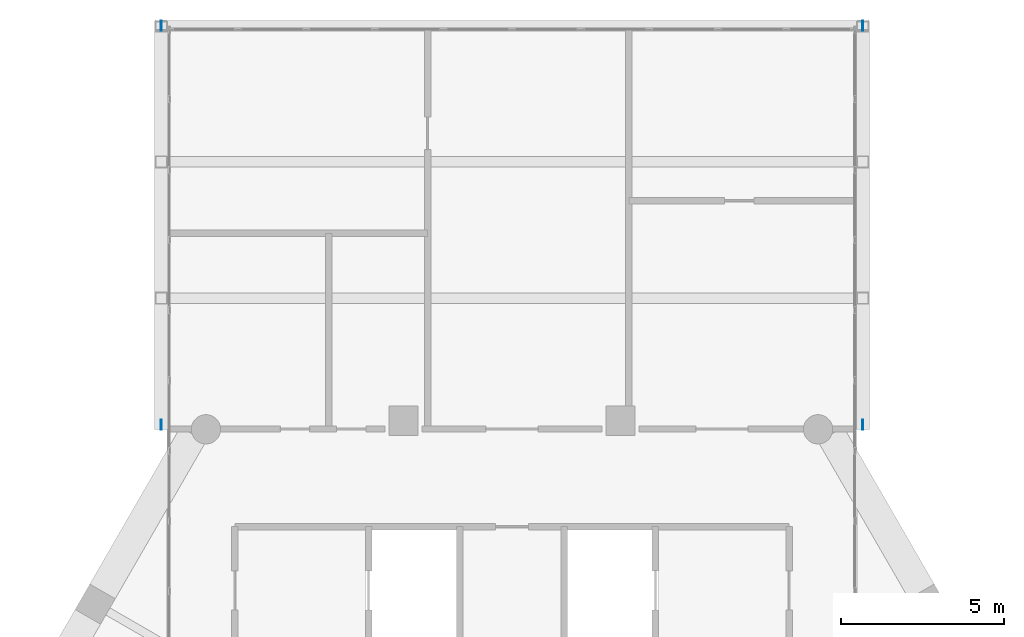
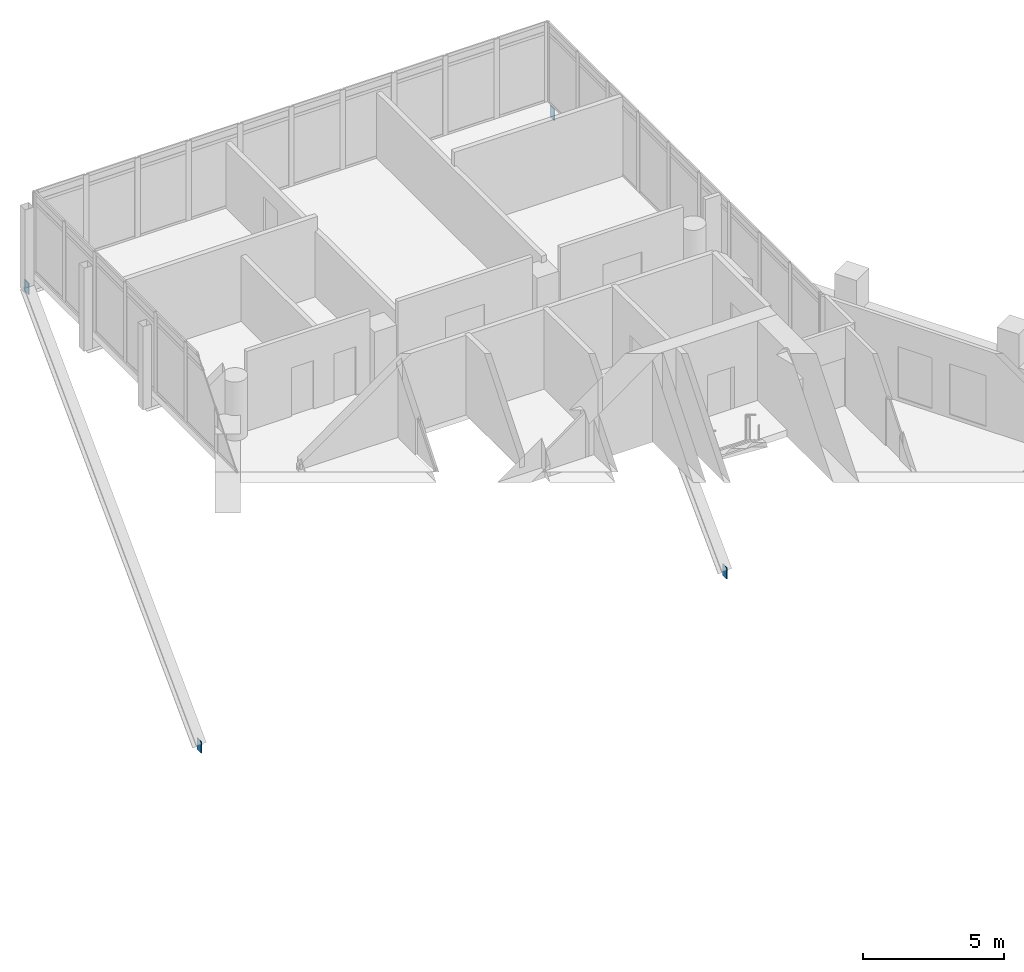
# One storey, part 33 of 34: 4 discrete accessories.
"""IFC4 building model written with IfcOpenShell, lengths in metres."""

from ifc_helpers import new_model, si_unit, direction, frame, origin, origin_2d, place, context, subcontext, project, spatial, rectangle, extrude, material, layer, layer_set, type_object, element, save


model = new_model("IFC4")

# Units and contexts
model_context = context("Model", 3, precision=1e-05, world=origin(), true_north=direction((0.0, 1.0)))
body_context = subcontext(model_context, "Body", "Model", "MODEL_VIEW")
ifc_project = project(units=[si_unit("LENGTHUNIT", "METRE"), si_unit("AREAUNIT", "SQUARE_METRE"), si_unit("VOLUMEUNIT", "CUBIC_METRE"), si_unit("PLANEANGLEUNIT", "RADIAN"), si_unit("MASSUNIT", "GRAM", prefix="KILO")], contexts=[model_context])

# Site, building, storey
site_placement = place(None, origin())
site = spatial("IfcSite", under=ifc_project, at=site_placement, CompositionType="ELEMENT")
building_placement = place(site_placement, origin())
building = spatial("IfcBuilding", under=site, at=building_placement, Name="Ostrander Bayou Hotel Tower", CompositionType="ELEMENT")
storey_placement = place(building_placement, frame((0.0, 0.0, 222.0)))
storey = spatial("IfcBuildingStorey", under=building, at=storey_placement, Name="L55", CompositionType="ELEMENT", Elevation=222.0)

# Discrete accessories
ifc_material = material(Name="Steel ASTM A572 Gr 50", Category="steel")
ifc_layer = layer(ifc_material, 0.030029296875)
ifc_layer_set = layer_set([ifc_layer], Name="GP1 gusset plate 30 mm")
discrete_accessory_type = type_object("IfcDiscreteAccessoryType", Name="GP1 gusset plate 30 mm", PredefinedType="BRACKET", material=ifc_layer_set)
for number, where, z_axis, x_axis, name in (
    (1, (-10.764892578125, 28.966552734375, -0.9111328125), (0.0, 0.0, 1.0), (0.0, -1.0, 0.0), "GP1 gusset plate bar 265"),
    (2, (-10.764892578125, 16.728759765625, -13.35009765625), (0.0, 0.0, 1.0), (0.0, -1.0, 0.0), "GP1 gusset plate bar 266"),
    (3, (10.764892578125, 28.966552734375, -0.9111328125), (0.0, 0.0, 1.0), (0.0, -1.0, 0.0), "GP1 gusset plate bar 267"),
    (4, (10.764892578125, 16.728759765625, -13.35009765625), (0.0, 0.0, 1.0), (0.0, -1.0, 0.0), "GP1 gusset plate bar 268"),
):
    element("IfcDiscreteAccessory", number, at=place(storey_placement, frame(where, z_axis=z_axis, x_axis=x_axis)), inside=storey, type_object=discrete_accessory_type, Name=name, PredefinedType="BRACKET", context=body_context, shape_type="SweptSolid", body=[
        extrude(rectangle(XDim=0.300048828125, YDim=0.030029296875, at=origin_2d()), origin(), (0.0, 0.0, 1.0), 0.5),
    ])

save(model, "model.ifc")
